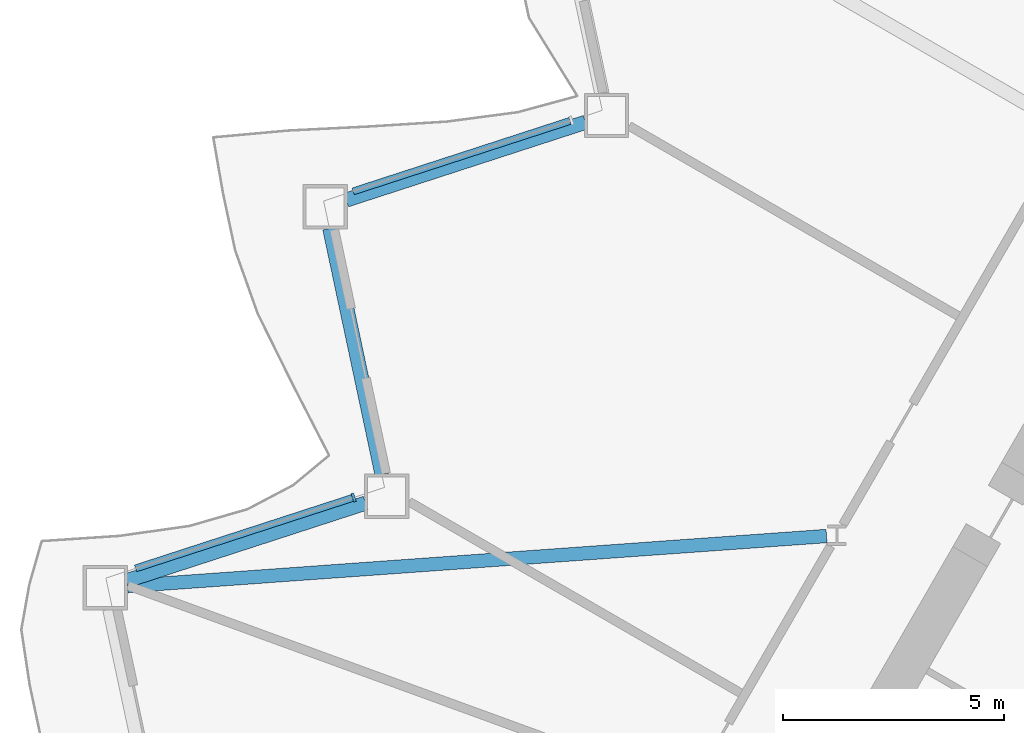
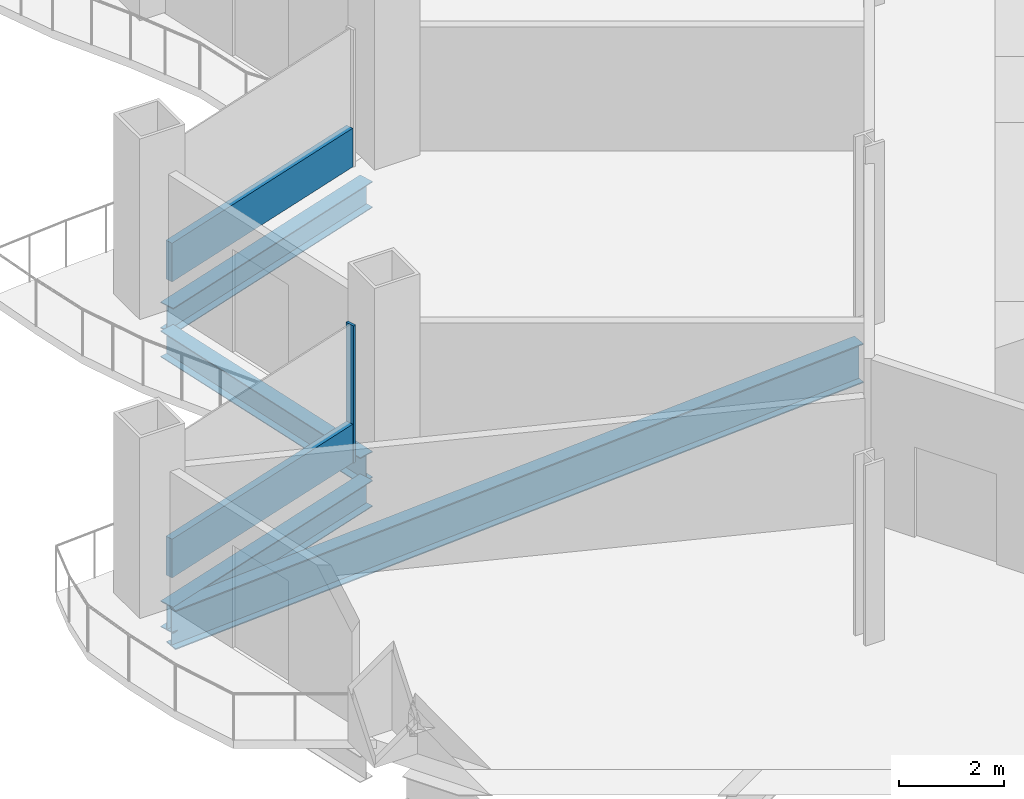
# One storey, part 3 of 21: 4 beams, 3 members, 2 elements without a shape of their own.
"""IFC4 building model written with IfcOpenShell, lengths in metres."""

from ifc_helpers import new_model, si_unit, direction, frame, origin, origin_2d, place, context, subcontext, project, spatial, rectangle, i_section, extrude, material, layer, layer_set, material_profile, profile_set, type_object, element, aggregate, save


model = new_model("IFC4")

# Units and contexts
model_context = context("Model", 3, precision=1e-05, world=origin(), true_north=direction((0.0, 1.0)))
body_context = subcontext(model_context, "Body", "Model", "MODEL_VIEW")
ifc_project = project(units=[si_unit("LENGTHUNIT", "METRE"), si_unit("AREAUNIT", "SQUARE_METRE"), si_unit("VOLUMEUNIT", "CUBIC_METRE"), si_unit("PLANEANGLEUNIT", "RADIAN"), si_unit("MASSUNIT", "GRAM", prefix="KILO")], contexts=[model_context])

# Site, building, storey
site_placement = place(None, origin())
site = spatial("IfcSite", under=ifc_project, at=site_placement, CompositionType="ELEMENT")
building_placement = place(site_placement, origin())
building = spatial("IfcBuilding", under=site, at=building_placement, Name="Cormorant Prow Tower", CompositionType="ELEMENT")
storey_placement = place(building_placement, frame((0.0, 0.0, 67.800048828125)))
storey = spatial("IfcBuildingStorey", under=building, at=storey_placement, Name="L14", CompositionType="ELEMENT", Elevation=67.800048828125)

# Curtain wall, member
ifc_material_1 = material(Name="Aluminium 6063-T6", Category="aluminium")
ifc_layer = layer(ifc_material_1, 0.199951171875)
ifc_layer_set = layer_set([ifc_layer], Name="Aluminium 6063-T6")
curtain_wall_type = type_object("IfcCurtainWallType", Name="Office unitised curtain wall 200", PredefinedType="NOTDEFINED", material=ifc_layer_set)
curtain_wall_1_placement = place(storey_placement, origin())
curtain_wall_1 = element("IfcCurtainWall", 1, at=curtain_wall_1_placement, inside=storey, type_object=curtain_wall_type, Name="Office curtain wall WNW08", PredefinedType="NOTDEFINED")
ifc_material_2 = material(Name="Aluminium 6063-T6", Category="aluminium")
ifc_material_profile_1 = material_profile(ifc_material_2, rectangle(XDim=0.199951171875, YDim=0.06005859375, at=origin_2d()), Name="Office mullion 60x200")
ifc_profile_set_1 = profile_set([ifc_material_profile_1], Name="Aluminium 6063-T6")
member_type_1 = type_object("IfcMemberType", Name="Office mullion 60x200", PredefinedType="MULLION", material=ifc_profile_set_1)
member_1_placement = place(storey_placement, frame((-26.780029296875, -2.20068359375, 0.0), z_axis=(0.0, 0.0, 1.0), x_axis=(0.309016946636, -0.951056531806, 0.0)))
member_1 = element("IfcMember", 2, at=member_1_placement, type_object=member_type_1, Name="Office mullion WNW08", PredefinedType="MULLION", context=body_context, shape_type="SweptSolid", body=[
    extrude(rectangle(XDim=0.199951171875, YDim=0.06005859375, at=origin_2d()), origin(), (0.0, 0.0, 1.0), 3.18896484375),
])

curtain_wall_2_placement = place(storey_placement, origin())
curtain_wall_2 = element("IfcCurtainWall", 3, at=curtain_wall_2_placement, inside=storey, type_object=curtain_wall_type, Name="Office curtain wall WNW06", PredefinedType="NOTDEFINED")
ifc_material_3 = material(Name="Terracotta", Category="masonry")
ifc_material_profile_2 = material_profile(ifc_material_3, rectangle(XDim=0.159912109375, YDim=0.89990234375, at=origin_2d()), Name="Office terracotta spandrel rail 160x900")
ifc_profile_set_2 = profile_set([ifc_material_profile_2], Name="Terracotta")
member_type_2 = type_object("IfcMemberType", Name="Office terracotta spandrel rail 160x900", PredefinedType="USERDEFINED", material=ifc_profile_set_2)
member_2_placement = place(storey_placement, frame((-21.8916015625, 6.306640625, 0.449951171875), z_axis=(-0.951059146206, -0.309008900225, 0.0), x_axis=(0.309008900225, -0.951059146206, 0.0)))
member_2 = element("IfcMember", 4, at=member_2_placement, type_object=member_type_2, Name="Office spandrel rail WNW06", ObjectType="TRANSOM", PredefinedType="USERDEFINED", context=body_context, shape_type="SweptSolid", body=[
    extrude(rectangle(XDim=0.159912109375, YDim=0.89990234375, at=origin_2d()), origin(), (0.0, 0.0, 1.0), 5.150390625),
])
aggregate(curtain_wall_2, [member_2])

# Member
member_3_placement = place(storey_placement, frame((-26.80859375, -2.2099609375, 0.449951171875), z_axis=(-0.951059146206, -0.309008900225, 0.0), x_axis=(0.309008900225, -0.951059146206, 0.0)))
member_3 = element("IfcMember", 5, at=member_3_placement, type_object=member_type_2, Name="Office spandrel rail WNW08", ObjectType="TRANSOM", PredefinedType="USERDEFINED", context=body_context, shape_type="SweptSolid", body=[
    extrude(rectangle(XDim=0.159912109375, YDim=0.89990234375, at=origin_2d()), origin(), (0.0, 0.0, 1.0), 5.150390625),
])

aggregate(curtain_wall_1, [member_1, member_3])

# Beams
ifc_material_4 = material(Name="Structural steel ASTM A992 Gr 50", Category="steel")
ifc_material_profile_3 = material_profile(ifc_material_4, i_section(OverallWidth=0.3046875, OverallDepth=0.914794921875, WebThickness=0.0166015625, FlangeThickness=0.02587890625, at=origin_2d()), Name="W36x160")
ifc_profile_set_3 = profile_set([ifc_material_profile_3], Name="Structural steel ASTM A992 Gr 50")
beam_type_1 = type_object("IfcBeamType", Name="Radial floor beam W36x160", PredefinedType="BEAM", material=ifc_profile_set_3)
beam_1_placement = place(storey_placement, frame((-16.099365234375, -3.0703125, -0.857421875), z_axis=(-0.997443412532, -0.071460750045, 0.0), x_axis=(0.071460750045, -0.997443412532, 0.0)))
element("IfcBeam", 6, at=beam_1_placement, inside=storey, type_object=beam_type_1, Name="Radial floor beam FB1 4 L14", PredefinedType="BEAM", context=body_context, shape_type="SweptSolid", body=[
    extrude(i_section(OverallWidth=0.3046875, OverallDepth=0.914794921875, WebThickness=0.0166015625, FlangeThickness=0.02587890625, at=origin_2d()), origin(), (0.0, 0.0, 1.0), 15.831787109375),
])
ifc_material_5 = material(Name="Structural steel ASTM A992 Gr 50", Category="steel")
ifc_material_profile_4 = material_profile(ifc_material_5, i_section(OverallWidth=0.32373046875, OverallDepth=0.611083984375, WebThickness=0.0126953125, FlangeThickness=0.01904296875, at=origin_2d()), Name="W24x104")
ifc_profile_set_4 = profile_set([ifc_material_profile_4], Name="Structural steel ASTM A992 Gr 50")
beam_type_2 = type_object("IfcBeamType", Name="Spandrel beam W24x104", PredefinedType="SPANDREL", material=ifc_profile_set_4)
beam_2_placement = place(storey_placement, frame((-21.54345703125, 6.274658203125, -0.70556640625), z_axis=(-0.951061849722, -0.309000579292, 0.0), x_axis=(0.309000579292, -0.951061849722, 0.0)))
element("IfcBeam", 7, at=beam_2_placement, inside=storey, type_object=beam_type_2, Name="Spandrel beam SB1 WNW06-WNW07 L14", PredefinedType="SPANDREL", context=body_context, shape_type="SweptSolid", body=[
    extrude(i_section(OverallWidth=0.32373046875, OverallDepth=0.611083984375, WebThickness=0.0126953125, FlangeThickness=0.01904296875, at=origin_2d()), origin(), (0.0, 0.0, 1.0), 5.682373046875),
])
beam_3_placement = place(storey_placement, frame((-27.3193359375, 3.875244140625, -0.70556640625), z_axis=(0.207900376723, -0.97815000555, 0.0), x_axis=(0.97815000555, 0.207900376723, 0.0)))
element("IfcBeam", 8, at=beam_3_placement, inside=storey, type_object=beam_type_2, Name="Spandrel beam SB1 WNW07-WNW08 L14", PredefinedType="SPANDREL", context=body_context, shape_type="SweptSolid", body=[
    extrude(i_section(OverallWidth=0.32373046875, OverallDepth=0.611083984375, WebThickness=0.0126953125, FlangeThickness=0.01904296875, at=origin_2d()), origin(), (0.0, 0.0, 1.0), 5.6826171875),
])
beam_4_placement = place(storey_placement, frame((-26.509521484375, -2.32666015625, -0.70556640625), z_axis=(-0.951049222751, -0.309039440696, 0.0), x_axis=(0.309039440696, -0.951049222751, 0.0)))
element("IfcBeam", 9, at=beam_4_placement, inside=storey, type_object=beam_type_2, Name="Spandrel beam SB1 WNW08-WNW09 L14", PredefinedType="SPANDREL", context=body_context, shape_type="SweptSolid", body=[
    extrude(i_section(OverallWidth=0.32373046875, OverallDepth=0.611083984375, WebThickness=0.0126953125, FlangeThickness=0.01904296875, at=origin_2d()), origin(), (0.0, 0.0, 1.0), 5.682373046875),
])

save(model, "model.ifc")
